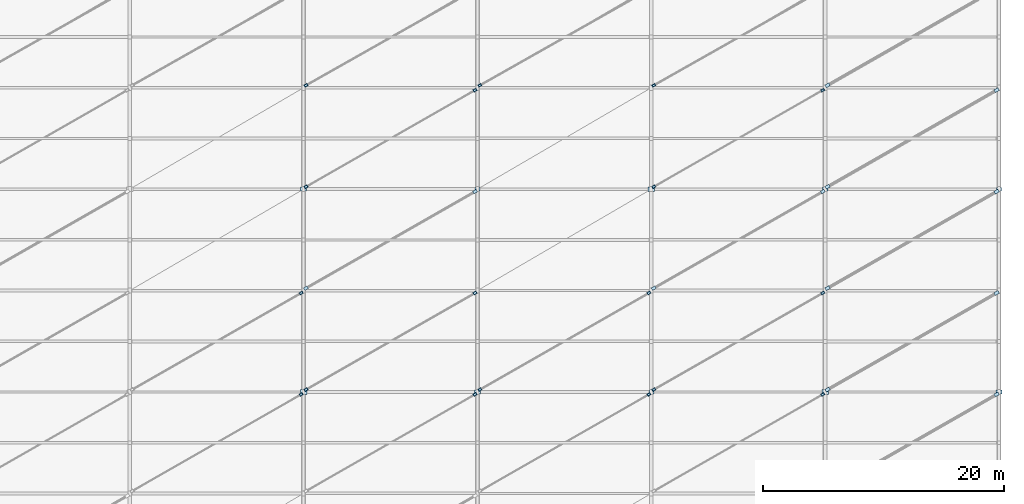
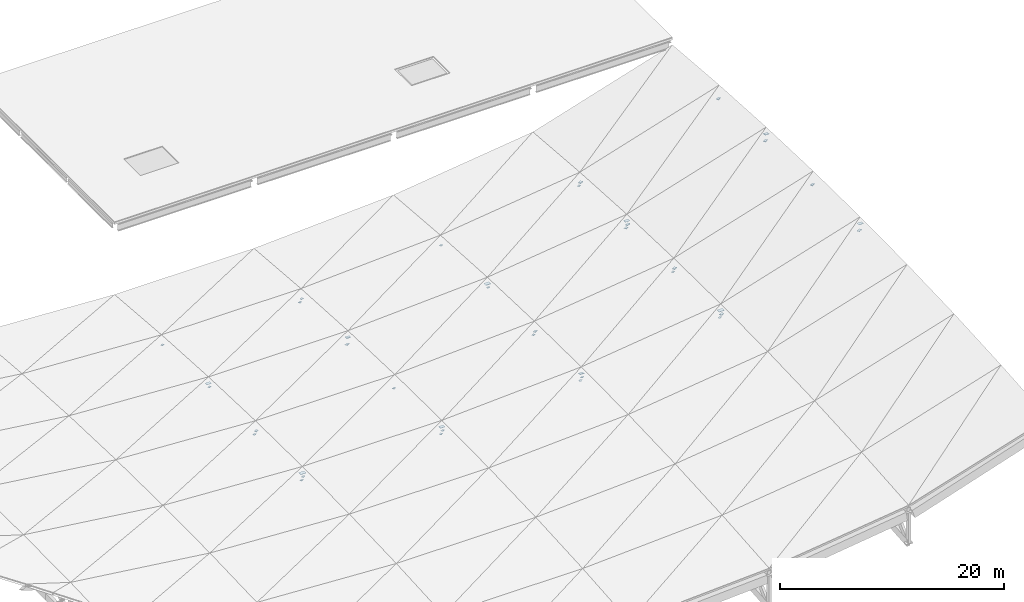
# One storey, part 17 of 22: 40 plates.
"""IFC4 building model written with IfcOpenShell, lengths in metres."""

from ifc_helpers import new_model, si_unit, direction, frame, origin, origin_2d, place, context, subcontext, project, spatial, rectangle, extrude, material, layer, layer_set, type_object, element, save


model = new_model("IFC4")

# Units and contexts
model_context = context("Model", 3, precision=1e-05, world=origin(), true_north=direction((0.0, 1.0)))
body_context = subcontext(model_context, "Body", "Model", "MODEL_VIEW")
ifc_project = project(units=[si_unit("LENGTHUNIT", "METRE"), si_unit("AREAUNIT", "SQUARE_METRE"), si_unit("VOLUMEUNIT", "CUBIC_METRE"), si_unit("PLANEANGLEUNIT", "RADIAN"), si_unit("MASSUNIT", "GRAM", prefix="KILO"), si_unit("THERMODYNAMICTEMPERATUREUNIT", "KELVIN")], contexts=[model_context])

# Site, building, storey
site_placement = place(None, origin())
site = spatial("IfcSite", under=ifc_project, at=site_placement, CompositionType="ELEMENT")
building_placement = place(site_placement, origin())
building = spatial("IfcBuilding", under=site, at=building_placement, Name="Nduvali Passage Aquatics Centre", CompositionType="ELEMENT")
storey_placement = place(building_placement, frame((0.0, 0.0, 21.60009765625)))
storey = spatial("IfcBuildingStorey", under=building, at=storey_placement, Name="RF", CompositionType="ELEMENT", Elevation=21.60009765625)

# Plates
ifc_material = material(Name="Steel S355", Category="steel")
ifc_layer_1 = layer(ifc_material, 0.01611328125, Name="Steel S355")
ifc_layer_set_1 = layer_set([ifc_layer_1], Name="Steel S355")
plate_type_1 = type_object("IfcPlateType", Name="STR-PLT-CAP1", PredefinedType="SHEET", material=ifc_layer_set_1)
for number, where, z_axis, x_axis, name in (
    (1, (68.60009765625, 67.39990234375, -7.6357421875), (0.0, 0.0, 1.0), (0.866025403784, 0.5, 0.0), "Roof Brace End-Cap Gusset Plate 0107"),
    (2, (82.60009765625, 75.39990234375, -7.935546875), (0.0, 0.0, 1.0), (0.866025403784, 0.5, 0.0), "Roof Brace End-Cap Gusset Plate 0108"),
    (3, (97.39990234375, 67.39990234375, -6.844482421875), (0.0, 0.0, 1.0), (0.866025403784, 0.5, 0.0), "Roof Brace End-Cap Gusset Plate 0131"),
    (4, (111.39990234375, 75.39990234375, -5.308837890625), (0.0, 0.0, 1.0), (0.866025403784, 0.5, 0.0), "Roof Brace End-Cap Gusset Plate 0132"),
):
    element("IfcPlate", number, at=place(storey_placement, frame(where, z_axis=z_axis, x_axis=x_axis)), inside=storey, type_object=plate_type_1, Name=name, PredefinedType="SHEET", context=body_context, shape_type="SweptSolid", body=[
        extrude(rectangle(XDim=0.340087890625, YDim=0.239990234375, at=origin_2d()), origin(), (0.0, 0.0, 1.0), 0.01611328125),
    ])
ifc_layer_2 = layer(ifc_material, 0.010009765625, Name="Steel S355")
ifc_layer_set_2 = layer_set([ifc_layer_2], Name="Steel S355")
plate_type_2 = type_object("IfcPlateType", Name="STR-PLT-CAP2", PredefinedType="SHEET", material=ifc_layer_set_2)
for number, where, z_axis, x_axis, name in (
    (5, (68.199951171875, 58.60009765625, -7.53271484375), (0.0, 0.0, 1.0), (0.866025403784, 0.5, 0.0), "Roof Brace End-Cap Gusset Plate 0092"),
    (6, (68.199951171875, 67.0, -7.6328125), (0.0, 0.0, 1.0), (0.866025403784, 0.5, 0.0), "Roof Brace End-Cap Gusset Plate 0094"),
    (7, (82.60009765625, 58.60009765625, -7.53271484375), (0.0, 0.0, 1.0), (0.866025403784, 0.5, 0.0), "Roof Brace End-Cap Gusset Plate 0104"),
    (8, (68.60009765625, 59.0, -7.53271484375), (0.0, 0.0, 1.0), (0.866025403784, 0.5, 0.0), "Roof Brace End-Cap Gusset Plate 0105"),
    (9, (82.60009765625, 67.0, -7.6328125), (0.0, 0.0, 1.0), (0.866025403784, 0.5, 0.0), "Roof Brace End-Cap Gusset Plate 0106"),
    (10, (68.60009765625, 75.800048828125, -7.9326171875), (0.0, 0.0, 1.0), (0.866025403784, 0.5, 0.0), "Roof Brace End-Cap Gusset Plate 0109"),
    (11, (82.60009765625, 83.800048828125, -8.4326171875), (0.0, 0.0, 1.0), (0.866025403784, 0.5, 0.0), "Roof Brace End-Cap Gusset Plate 0110"),
    (12, (68.60009765625, 84.199951171875, -8.4326171875), (0.0, 0.0, 1.0), (0.866025403784, 0.5, 0.0), "Roof Brace End-Cap Gusset Plate 0111"),
    (13, (97.0, 58.60009765625, -6.74169921875), (0.0, 0.0, 1.0), (0.866025403784, 0.5, 0.0), "Roof Brace End-Cap Gusset Plate 0116"),
    (14, (83.0, 59.0, -7.53271484375), (0.0, 0.0, 1.0), (0.866025403784, 0.5, 0.0), "Roof Brace End-Cap Gusset Plate 0117"),
    (15, (97.0, 67.0, -6.84130859375), (0.0, 0.0, 1.0), (0.866025403784, 0.5, 0.0), "Roof Brace End-Cap Gusset Plate 0118"),
    (16, (83.0, 84.199951171875, -8.4326171875), (0.0, 0.0, 1.0), (0.866025403784, 0.5, 0.0), "Roof Brace End-Cap Gusset Plate 0119"),
    (17, (111.39990234375, 58.60009765625, -4.90576171875), (0.0, 0.0, 1.0), (0.866025403784, 0.5, 0.0), "Roof Brace End-Cap Gusset Plate 0128"),
    (18, (97.39990234375, 59.0, -6.74169921875), (0.0, 0.0, 1.0), (0.866025403784, 0.5, 0.0), "Roof Brace End-Cap Gusset Plate 0129"),
    (19, (111.39990234375, 67.0, -5.005859375), (0.0, 0.0, 1.0), (0.866025403784, 0.5, 0.0), "Roof Brace End-Cap Gusset Plate 0130"),
    (20, (97.39990234375, 75.800048828125, -7.1416015625), (0.0, 0.0, 1.0), (0.866025403784, 0.5, 0.0), "Roof Brace End-Cap Gusset Plate 0133"),
    (21, (111.39990234375, 83.800048828125, -5.8056640625), (0.0, 0.0, 1.0), (0.866025403784, 0.5, 0.0), "Roof Brace End-Cap Gusset Plate 0134"),
    (22, (97.39990234375, 84.199951171875, -7.6416015625), (0.0, 0.0, 1.0), (0.866025403784, 0.5, 0.0), "Roof Brace End-Cap Gusset Plate 0135"),
):
    element("IfcPlate", number, at=place(storey_placement, frame(where, z_axis=z_axis, x_axis=x_axis)), inside=storey, type_object=plate_type_2, Name=name, PredefinedType="SHEET", context=body_context, shape_type="SweptSolid", body=[
        extrude(rectangle(XDim=0.280029296875, YDim=0.199951171875, at=origin_2d()), origin(), (0.0, 0.0, 1.0), 0.010009765625),
    ])
ifc_layer_3 = layer(ifc_material, 0.02490234375, Name="Steel S355")
ifc_layer_set_3 = layer_set([ifc_layer_3], Name="Steel S355")
plate_type_3 = type_object("IfcPlateType", Name="STR-PLT-CAP3", PredefinedType="SHEET", material=ifc_layer_set_3)
for number, where, z_axis, x_axis, name in (
    (23, (125.800048828125, 58.60009765625, -0.4345703125), (0.0, 0.0, 1.0), (0.866025403784, 0.5, 0.0), "Roof Brace End-Cap Gusset Plate 0144"),
    (24, (111.800048828125, 59.0, -4.913330078125), (0.0, 0.0, 1.0), (0.866025403784, 0.5, 0.0), "Roof Brace End-Cap Gusset Plate 0145"),
    (25, (125.800048828125, 67.0, -0.53466796875), (0.0, 0.0, 1.0), (0.866025403784, 0.5, 0.0), "Roof Brace End-Cap Gusset Plate 0146"),
    (26, (111.800048828125, 67.39990234375, -5.01318359375), (0.0, 0.0, 1.0), (0.866025403784, 0.5, 0.0), "Roof Brace End-Cap Gusset Plate 0147"),
    (27, (125.800048828125, 75.39990234375, -0.83447265625), (0.0, 0.0, 1.0), (0.866025403784, 0.5, 0.0), "Roof Brace End-Cap Gusset Plate 0148"),
    (28, (111.800048828125, 75.800048828125, -5.313232421875), (0.0, 0.0, 1.0), (0.866025403784, 0.5, 0.0), "Roof Brace End-Cap Gusset Plate 0149"),
    (29, (125.800048828125, 83.800048828125, -1.33447265625), (0.0, 0.0, 1.0), (0.866025403784, 0.5, 0.0), "Roof Brace End-Cap Gusset Plate 0150"),
    (30, (111.800048828125, 84.199951171875, -5.813232421875), (0.0, 0.0, 1.0), (0.866025403784, 0.5, 0.0), "Roof Brace End-Cap Gusset Plate 0151"),
):
    element("IfcPlate", number, at=place(storey_placement, frame(where, z_axis=z_axis, x_axis=x_axis)), inside=storey, type_object=plate_type_3, Name=name, PredefinedType="SHEET", context=body_context, shape_type="SweptSolid", body=[
        extrude(rectangle(XDim=0.3798828125, YDim=0.260009765625, at=origin_2d()), origin(), (0.0, 0.0, 1.0), 0.02490234375),
    ])
ifc_layer_4 = layer(ifc_material, 0.0400390625, Name="Steel S355")
ifc_layer_set_4 = layer_set([ifc_layer_4], Name="Steel S355")
plate_type_4 = type_object("IfcPlateType", Name="STR-PLT-GN4", PredefinedType="SHEET", material=ifc_layer_set_4)
for number, where, z_axis, x_axis, name in (
    (31, (68.39990234375, 58.800048828125, -6.9697265625), (0.0, 0.0, 1.0), (1.0, 0.0, 0.0), "Glulam Truss Splice Node GN4 R4"),
    (32, (97.199951171875, 75.60009765625, -6.57861328125), (0.0, 0.0, 1.0), (1.0, 0.0, 0.0), "Glulam Truss Splice Node GN4 R6"),
    (33, (111.60009765625, 58.800048828125, -4.3427734375), (0.0, 0.0, 1.0), (1.0, 0.0, 0.0), "Glulam Truss Splice Node GN4 R7"),
):
    element("IfcPlate", number, at=place(storey_placement, frame(where, z_axis=z_axis, x_axis=x_axis)), inside=storey, type_object=plate_type_4, Name=name, PredefinedType="SHEET", context=body_context, shape_type="SweptSolid", body=[
        extrude(rectangle(XDim=0.5400390625, YDim=0.3798828125, at=origin_2d()), origin(), (0.0, 0.0, 1.0), 0.0400390625),
    ])
ifc_layer_5 = layer(ifc_material, 0.030029296875, Name="Steel S355")
ifc_layer_set_5 = layer_set([ifc_layer_5], Name="Steel S355")
plate_type_5 = type_object("IfcPlateType", Name="STR-PLT-GN5", PredefinedType="SHEET", material=ifc_layer_set_5)
for number, where, z_axis, x_axis, name in (
    (34, (68.39990234375, 75.60009765625, -7.36474609375), (0.0, 0.0, 1.0), (1.0, 0.0, 0.0), "Glulam Truss Splice Node GN5 R4"),
    (35, (82.800048828125, 58.800048828125, -6.96484375), (0.0, 0.0, 1.0), (1.0, 0.0, 0.0), "Glulam Truss Splice Node GN5 R5"),
    (36, (111.60009765625, 75.60009765625, -4.73779296875), (0.0, 0.0, 1.0), (1.0, 0.0, 0.0), "Glulam Truss Splice Node GN5 R7"),
    (37, (126.0, 58.800048828125, 0.11083984375), (0.0, 0.0, 1.0), (1.0, 0.0, 0.0), "Glulam Truss Splice Node GN5 R8"),
):
    element("IfcPlate", number, at=place(storey_placement, frame(where, z_axis=z_axis, x_axis=x_axis)), inside=storey, type_object=plate_type_5, Name=name, PredefinedType="SHEET", context=body_context, shape_type="SweptSolid", body=[
        extrude(rectangle(XDim=0.47998046875, YDim=0.340087890625, at=origin_2d()), origin(), (0.0, 0.0, 1.0), 0.030029296875),
    ])
ifc_layer_6 = layer(ifc_material, 0.02001953125, Name="Steel S355")
ifc_layer_set_6 = layer_set([ifc_layer_6], Name="Steel S355")
plate_type_6 = type_object("IfcPlateType", Name="STR-PLT-GN6", PredefinedType="SHEET", material=ifc_layer_set_6)
for number, where, z_axis, x_axis, name in (
    (38, (82.800048828125, 75.60009765625, -7.359619140625), (0.0, 0.0, 1.0), (1.0, 0.0, 0.0), "Glulam Truss Splice Node GN6 R5"),
    (39, (97.199951171875, 58.800048828125, -6.16845703125), (0.0, 0.0, 1.0), (1.0, 0.0, 0.0), "Glulam Truss Splice Node GN6 R6"),
    (40, (126.0, 75.60009765625, -0.2841796875), (0.0, 0.0, 1.0), (1.0, 0.0, 0.0), "Glulam Truss Splice Node GN6 R8"),
):
    element("IfcPlate", number, at=place(storey_placement, frame(where, z_axis=z_axis, x_axis=x_axis)), inside=storey, type_object=plate_type_6, Name=name, PredefinedType="SHEET", context=body_context, shape_type="SweptSolid", body=[
        extrude(rectangle(XDim=0.419921875, YDim=0.300048828125, at=origin_2d()), origin(), (0.0, 0.0, 1.0), 0.02001953125),
    ])

save(model, "model.ifc")
